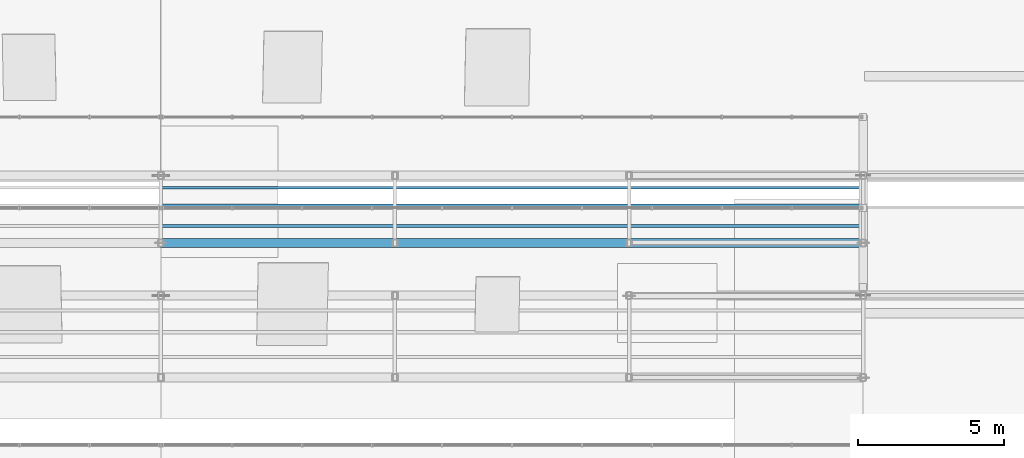
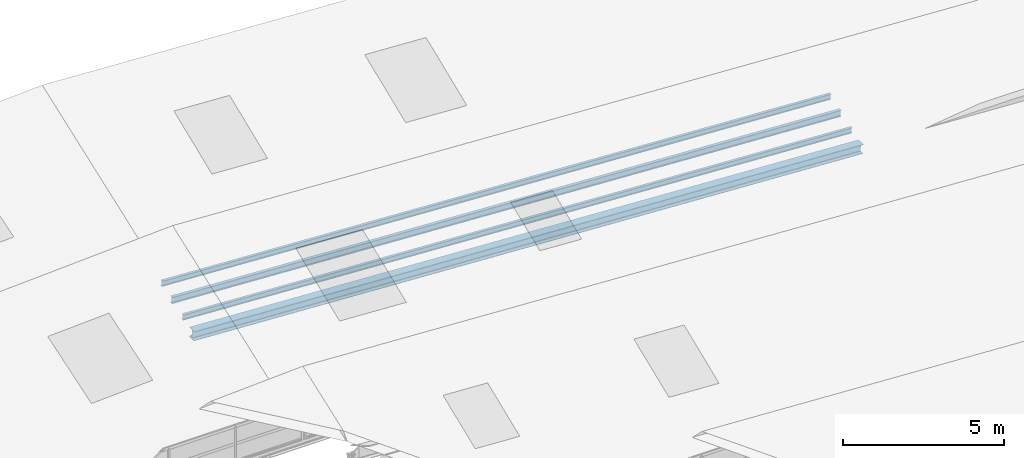
# One storey, part 115 of 141: 4 members.
"""IFC4 building model written with IfcOpenShell, lengths in metres."""

import ifcopenshell
import ifcopenshell.guid

model = None  # the IFC model being written
_history = None  # IfcOwnerHistory: only IFC2X3 demands one
_inside = {}  # id of a spatial element -> (the spatial element, [elements in it])
_under = {}  # id of a project, library or spatial element -> (it, [spatial elements below it])
_declared = {}  # id of a project -> (the project, [libraries it declares])
_typed = {}  # id of a type object -> (the type object, [elements of that type])
_made_of = {}  # id of a material, layer set ... -> (it, [elements and type objects made of it])


def new_model(schema):
    """Start an empty IFC model of exactly this schema.

    Asked for "IFC4X3", IfcOpenShell would pick the latest addendum, in which some entities
    have other attributes; the version numbers below select the first issue.
    IFC2X3 requires an IfcOwnerHistory on every rooted entity: one is made here for all.
    """
    global model, _history
    if schema == "IFC4X3":
        model = ifcopenshell.file(schema_version=(4, 3, 0, 0))
    else:
        model = ifcopenshell.file(schema=schema)
    _inside.clear()
    _under.clear()
    _declared.clear()
    _typed.clear()
    _made_of.clear()
    _history = None
    if model.schema == "IFC2X3":
        org = make("IfcOrganization", Name="unknown")
        user = make(
            "IfcPersonAndOrganization",
            ThePerson=make("IfcPerson", FamilyName="unknown"),
            TheOrganization=org,
        )
        app = make(
            "IfcApplication",
            ApplicationDeveloper=org,
            Version="unknown",
            ApplicationFullName="unknown",
            ApplicationIdentifier="unknown",
        )
        _history = make(
            "IfcOwnerHistory",
            OwningUser=user,
            OwningApplication=app,
            ChangeAction="ADDED",
            CreationDate=0,
        )
    return model


def make(cls, **values):
    """One entity of the class cls with the attributes given. An attribute that is None is left unset."""
    return model.create_entity(
        cls, **{name: value for name, value in values.items() if value is not None}
    )


def rooted(cls, **values):
    """An entity with a GlobalId (a new one), such as an element, a storey or a relation."""
    return make(cls, GlobalId=ifcopenshell.guid.new(), OwnerHistory=_history, **values)


def si_unit(unit_type, name, prefix=None):
    """IfcSIUnit, for example si_unit("LENGTHUNIT", "METRE", prefix="MILLI")."""
    return make("IfcSIUnit", UnitType=unit_type, Prefix=prefix, Name=name)


def assignment(units):
    """IfcUnitAssignment: the units of a project."""
    return None if units is None else make("IfcUnitAssignment", Units=units)


def point(xyz):
    """IfcCartesianPoint."""
    return None if xyz is None else make("IfcCartesianPoint", Coordinates=xyz)


def direction(xyz):
    """IfcDirection."""
    return None if xyz is None else make("IfcDirection", DirectionRatios=xyz)


def frame(location, z_axis=None, x_axis=None):
    """IfcAxis2Placement3D, a coordinate frame: its origin and axes. An axis left out is left unset."""
    return make(
        "IfcAxis2Placement3D",
        Location=point(location),
        Axis=direction(z_axis),
        RefDirection=direction(x_axis),
    )


def frame_2d(location, x_axis=None):
    """IfcAxis2Placement2D, a coordinate frame in the plane: its origin and x axis."""
    return make(
        "IfcAxis2Placement2D", Location=point(location), RefDirection=direction(x_axis)
    )


def origin():
    """The frame at (0, 0, 0) with its axes left unset."""
    return frame((0.0, 0.0, 0.0))


def origin_2d():
    """The frame at (0, 0) in the plane with its x axis left unset."""
    return frame_2d((0.0, 0.0))


def place(relative_to, where):
    """IfcLocalPlacement: puts the frame where relative to a parent placement (None: the world)."""
    return make(
        "IfcLocalPlacement", PlacementRelTo=relative_to, RelativePlacement=where
    )


def context(
    kind, dimensions, precision=None, world=None, true_north=None, identifier=None
):
    """IfcGeometricRepresentationContext, for example the 3D "Model" context."""
    return make(
        "IfcGeometricRepresentationContext",
        ContextIdentifier=identifier,
        ContextType=kind,
        CoordinateSpaceDimension=dimensions,
        Precision=precision,
        WorldCoordinateSystem=world,
        TrueNorth=true_north,
    )


def subcontext(parent, identifier, kind, view, scale=None):
    """IfcGeometricRepresentationSubContext, for example "Body" below "Model"."""
    return make(
        "IfcGeometricRepresentationSubContext",
        ContextIdentifier=identifier,
        ContextType=kind,
        ParentContext=parent,
        TargetScale=scale,
        TargetView=view,
    )


def project(units=None, contexts=None):
    """IfcProject with its units and contexts."""
    return rooted(
        "IfcProject",
        Name="project",
        RepresentationContexts=contexts,
        UnitsInContext=assignment(units),
    )


def spatial(cls, under=None, at=None, **own):
    """A site, building, storey or space (cls), placed at a placement, below another one or the project."""
    s = rooted(cls, ObjectPlacement=at, **own)
    if under is not None:
        _under.setdefault(under.id(), (under, []))[1].append(s)
    return s


def profile(cls, at=None, kind="AREA", **sizes):
    """A parametric profile (cls). Its sizes go by their IFC names, for example OverallWidth=200.0."""
    return make(cls, ProfileType=kind, Position=at, **sizes)


def i_section(**sizes):
    """IfcIShapeProfileDef."""
    return profile("IfcIShapeProfileDef", **sizes)


def extrude(swept, where, along, depth):
    """IfcExtrudedAreaSolid: the profile swept, set in the frame where, extruded along a direction by depth."""
    return make(
        "IfcExtrudedAreaSolid",
        SweptArea=swept,
        Position=where,
        ExtrudedDirection=direction(along),
        Depth=depth,
    )


def shape(context_of_items, identifier, shape_type, items):
    """IfcShapeRepresentation: the items that make up one representation, for example the "Body"."""
    return make(
        "IfcShapeRepresentation",
        ContextOfItems=context_of_items,
        RepresentationIdentifier=identifier,
        RepresentationType=shape_type,
        Items=items,
    )


def material(Name=None, Category=None):
    """IfcMaterial."""
    return make("IfcMaterial", Name=Name, Category=Category)


def material_profile(
    of_material, cross_section, Name=None, Category=None, Priority=None
):
    """IfcMaterialProfile: a cross section and its material."""
    return make(
        "IfcMaterialProfile",
        Name=Name,
        Material=of_material,
        Profile=cross_section,
        Priority=Priority,
        Category=Category,
    )


def profile_set(profiles, Name=None, composite=None):
    """IfcMaterialProfileSet."""
    return make(
        "IfcMaterialProfileSet",
        Name=Name,
        MaterialProfiles=profiles,
        CompositeProfile=composite,
    )


def made_of(thing, what):
    """Note that an element or type object is made of a material, layer set ...; save() writes the relation."""
    if what is not None:
        _made_of.setdefault(what.id(), (what, []))[1].append(thing)
    return thing


def type_object(cls, material=None, **own):
    """A type object (cls), such as IfcWallType, which elements share."""
    return made_of(rooted(cls, **own), material)


def element(
    cls,
    number,
    at=None,
    inside=None,
    cuts=None,
    type_object=None,
    material=None,
    context=None,
    identifier="Body",
    shape_type=None,
    held_by="IfcProductDefinitionShape",
    body=None,
    shapes=None,
    **own,
):
    """One element of the class cls, such as IfcWall. Its Tag is "e" and its number.

    at: its placement. inside: the storey or other place that contains it. cuts: it is an
    opening in that element (IfcRelVoidsElement). A single representation is given by context,
    identifier, shape_type and body (its items); several are given by shapes. held_by: the class
    of the entity that holds the representations. save() writes the other relations.
    """
    e = rooted(cls, Tag="e%d" % number, ObjectPlacement=at, **own)
    if body is not None:
        shapes = [shape(context, identifier, shape_type, body)]
    if shapes is not None:
        e.Representation = make(held_by, Representations=shapes)
    if inside is not None:
        _inside.setdefault(inside.id(), (inside, []))[1].append(e)
    if cuts is not None:
        rooted(
            "IfcRelVoidsElement", RelatingBuildingElement=cuts, RelatedOpeningElement=e
        )
    if type_object is not None:
        _typed.setdefault(type_object.id(), (type_object, []))[1].append(e)
    return made_of(e, material)


def aggregate(whole, parts):
    """IfcRelAggregates: a whole, such as a stair, and the parts it consists of."""
    return rooted("IfcRelAggregates", RelatingObject=whole, RelatedObjects=parts)


def save(model, path):
    """Write the relations noted so far, then the file.

    IfcRelAggregates (storeys below a building ...), IfcRelContainedInSpatialStructure (elements
    in a storey), IfcRelDefinesByType, IfcRelAssociatesMaterial and IfcRelDeclares: one each for
    every whole, place, type object, material and project.
    """
    for whole, parts in _under.values():
        aggregate(whole, parts)
    for where, things in _inside.values():
        rooted(
            "IfcRelContainedInSpatialStructure",
            RelatedElements=things,
            RelatingStructure=where,
        )
    for kind, things in _typed.values():
        rooted("IfcRelDefinesByType", RelatedObjects=things, RelatingType=kind)
    for what, things in _made_of.values():
        rooted("IfcRelAssociatesMaterial", RelatedObjects=things, RelatingMaterial=what)
    for by, libraries in _declared.values():
        rooted("IfcRelDeclares", RelatingContext=by, RelatedDefinitions=libraries)
    model.write(path)


model = new_model("IFC4")

# Units and contexts
model_context = context("Model", 3, precision=1e-05, world=origin(), true_north=direction((0.0, 1.0)))
body_context = subcontext(model_context, "Body", "Model", "MODEL_VIEW")
ifc_project = project(units=[si_unit("LENGTHUNIT", "METRE"), si_unit("AREAUNIT", "SQUARE_METRE"), si_unit("VOLUMEUNIT", "CUBIC_METRE"), si_unit("PLANEANGLEUNIT", "RADIAN"), si_unit("MASSUNIT", "GRAM", prefix="KILO")], contexts=[model_context])

# Site, building, storey
site_placement = place(None, origin())
site = spatial("IfcSite", under=ifc_project, at=site_placement, CompositionType="ELEMENT")
building_placement = place(site_placement, origin())
building = spatial("IfcBuilding", under=site, at=building_placement, Name="Sundkrona Museum", CompositionType="ELEMENT")
storey_placement = place(building_placement, frame((0.0, 0.0, 34.0)))
storey = spatial("IfcBuildingStorey", under=building, at=storey_placement, Name="RF", CompositionType="ELEMENT", Elevation=34.0)

# Members
ifc_material = material(Name="Steel S355J2", Category="steel")
ifc_material_profile_1 = material_profile(ifc_material, i_section(OverallWidth=0.10009765625, OverallDepth=0.199951171875, WebThickness=0.005615234375, FlangeThickness=0.008544921875, FilletRadius=0.011962890625, at=origin_2d()), Name="IPE 200")
ifc_profile_set_1 = profile_set([ifc_material_profile_1], Name="Steel S355J2")
member_type_1 = type_object("IfcMemberType", Name="PR-IPE200", PredefinedType="PURLIN", material=ifc_profile_set_1)
for number, where, z_axis, x_axis, name in (
    (1, (144.0, 42.074951171875, 3.963623046875), (0.998539934522, 0.0, -0.054018507607), (0.0, 1.0, 0.0), "RFS-1 Sawtooth Blade 7E Roof Purlin 1"),
    (2, (144.0, 43.385986328125, 4.4462890625), (0.998539934522, 0.0, -0.054018507607), (0.0, 1.0, 0.0), "RFS-1 Sawtooth Blade 7E Roof Purlin 3"),
):
    element("IfcMember", number, at=place(storey_placement, frame(where, z_axis=z_axis, x_axis=x_axis)), inside=storey, type_object=member_type_1, Name=name, PredefinedType="PURLIN", context=body_context, shape_type="SweptSolid", body=[
        extrude(i_section(OverallWidth=0.10009765625, OverallDepth=0.199951171875, WebThickness=0.005615234375, FlangeThickness=0.008544921875, FilletRadius=0.011962890625, at=origin_2d()), origin(), (0.0, 0.0, 1.0), 24.03515625),
    ])
ifc_material_profile_2 = material_profile(ifc_material, i_section(OverallWidth=0.1201171875, OverallDepth=0.239990234375, WebThickness=0.006103515625, FlangeThickness=0.009765625, FilletRadius=0.014892578125, at=origin_2d()), Name="IPE 240")
ifc_profile_set_2 = profile_set([ifc_material_profile_2], Name="Steel S355J2")
member_type_2 = type_object("IfcMemberType", Name="PR-IPE240", PredefinedType="PURLIN", material=ifc_profile_set_2)
member_1_placement = place(storey_placement, frame((144.0, 42.764892578125, 4.19775390625), z_axis=(0.998539934522, 0.0, -0.054018507607), x_axis=(0.0, 1.0, 0.0)))
element("IfcMember", 3, at=member_1_placement, inside=storey, type_object=member_type_2, Name="RFS-1 Sawtooth Blade 7E Roof Purlin 2", PredefinedType="PURLIN", context=body_context, shape_type="SweptSolid", body=[
    extrude(i_section(OverallWidth=0.1201171875, OverallDepth=0.239990234375, WebThickness=0.006103515625, FlangeThickness=0.009765625, FilletRadius=0.014892578125, at=origin_2d()), origin(), (0.0, 0.0, 1.0), 24.03515625),
])
ifc_material_profile_3 = material_profile(ifc_material, i_section(OverallWidth=0.300048828125, OverallDepth=0.35009765625, WebThickness=0.010009765625, FlangeThickness=0.017578125, FilletRadius=0.027099609375, at=origin_2d()), Name="HEA 360")
ifc_profile_set_3 = profile_set([ifc_material_profile_3], Name="Steel S355J2")
member_type_3 = type_object("IfcMemberType", Name="TC-HEA360", PredefinedType="CHORD", material=ifc_profile_set_3)
member_2_placement = place(storey_placement, frame((144.0, 41.5, 3.6669921875), z_axis=(0.998539934522, 0.0, -0.054018507607), x_axis=(0.0, 1.0, 0.0)))
element("IfcMember", 4, at=member_2_placement, inside=storey, type_object=member_type_3, Name="RFS-1 Sawtooth Valley Truss 7 East Top Chord", PredefinedType="CHORD", context=body_context, shape_type="SweptSolid", body=[
    extrude(i_section(OverallWidth=0.300048828125, OverallDepth=0.35009765625, WebThickness=0.010009765625, FlangeThickness=0.017578125, FilletRadius=0.027099609375, at=origin_2d()), origin(), (0.0, 0.0, 1.0), 24.03515625),
])

save(model, "model.ifc")
